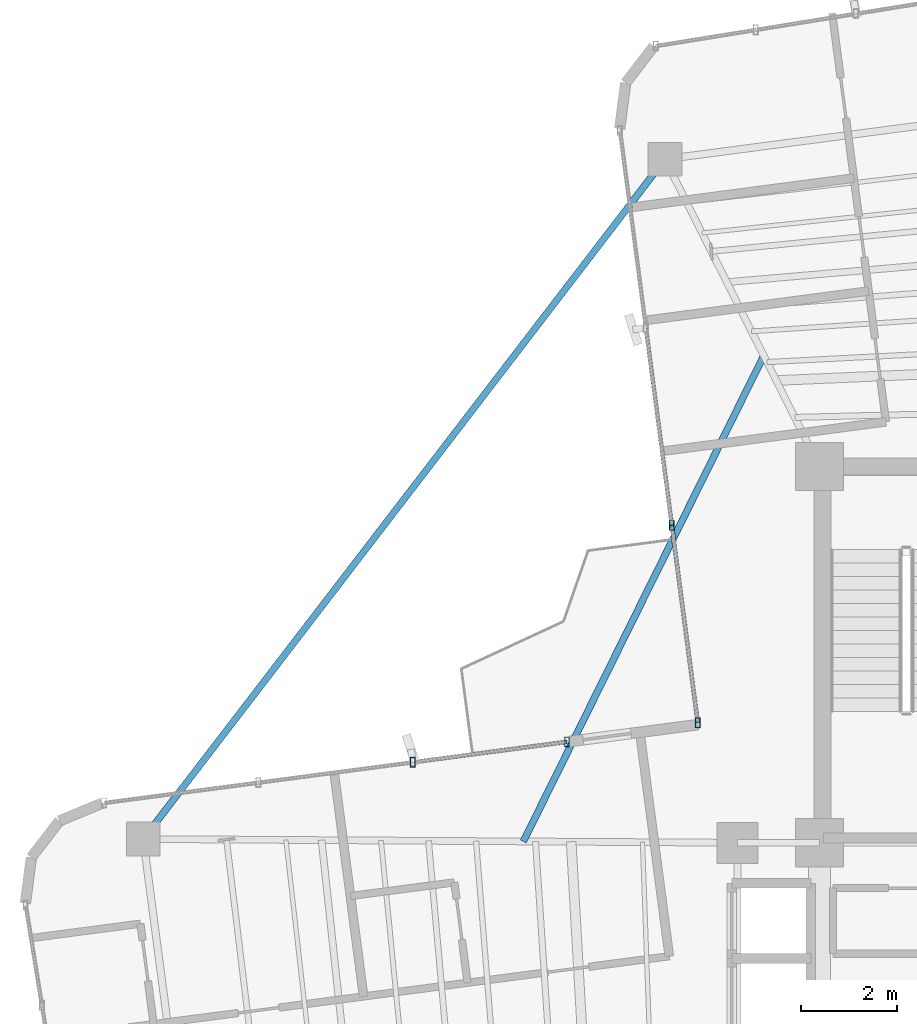
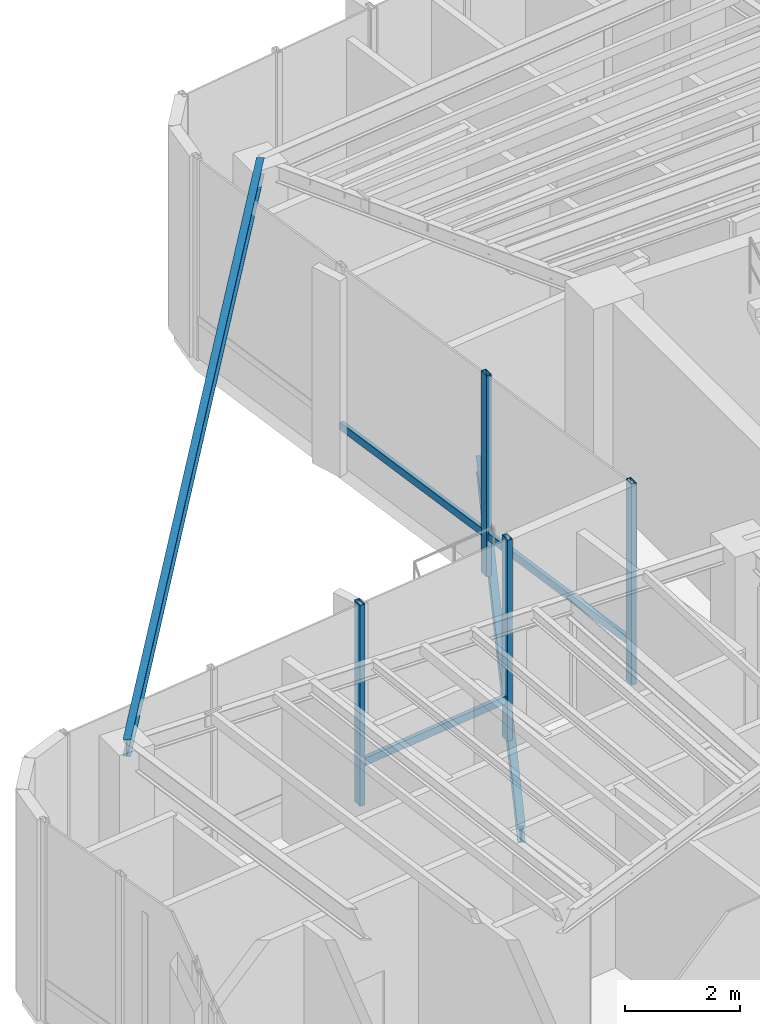
# One storey, part 5 of 20: 7 members, 2 beams, 2 elements without a shape of their own.
"""IFC4 building model written with IfcOpenShell, lengths in metres."""

from ifc_helpers import new_model, si_unit, direction, frame, origin, origin_2d, place, context, subcontext, project, spatial, hollow_rectangle, i_section, extrude, source, transform, mapped, material, material_profile, profile_set, type_object, element, aggregate, save


model = new_model("IFC4")

# Units and contexts
model_context = context("Model", 3, precision=1e-05, world=origin(), true_north=direction((0.0, 1.0)))
body_context = subcontext(model_context, "Body", "Model", "MODEL_VIEW")
ifc_project = project(units=[si_unit("LENGTHUNIT", "METRE"), si_unit("AREAUNIT", "SQUARE_METRE"), si_unit("VOLUMEUNIT", "CUBIC_METRE"), si_unit("PLANEANGLEUNIT", "RADIAN"), si_unit("MASSUNIT", "GRAM", prefix="KILO")], contexts=[model_context])

# Site, building, storey
site_placement = place(None, origin())
site = spatial("IfcSite", under=ifc_project, at=site_placement, CompositionType="ELEMENT")
building_placement = place(site_placement, origin())
building = spatial("IfcBuilding", under=site, at=building_placement, Name="Sahyath Konkavel Grand Hotel", CompositionType="ELEMENT")
storey_placement = place(building_placement, frame((0.0, 0.0, 229.949951171875)))
storey = spatial("IfcBuildingStorey", under=building, at=storey_placement, Name="L64", CompositionType="ELEMENT", Elevation=229.949951171875)

# Beam
ifc_material_1 = material(Name="Steel E350", Category="steel")
ifc_material_profile_1 = material_profile(ifc_material_1, i_section(OverallWidth=0.139892578125, OverallDepth=0.35009765625, WebThickness=0.008056640625, FlangeThickness=0.01416015625, FilletRadius=0.013916015625, at=origin_2d()), Name="ISMB 350")
ifc_profile_set_1 = profile_set([ifc_material_profile_1], Name="Steel E350")
beam_type_1 = type_object("IfcBeamType", Name="BM-ISMB350", PredefinedType="BEAM", material=ifc_profile_set_1)
shared_shape_1 = source(origin(), body_context, "Body", "SweptSolid", [
    extrude(i_section(OverallWidth=0.139892578125, OverallDepth=0.35009765625, WebThickness=0.008056640625, FlangeThickness=0.01416015625, FilletRadius=0.013916015625, at=origin_2d()), origin(), (0.0, 0.0, 1.0), 17.768310546875),
])
beam_1_placement = place(storey_placement, frame((-7.00634765625, 16.57421875, 4.0849609375), z_axis=(-0.608764084382, -0.793351302745, 0.0), x_axis=(0.793351302745, -0.608764084382, 0.0)))
element("IfcBeam", 1, at=beam_1_placement, inside=storey, type_object=beam_type_1, Name="L64 Re-Entrant Tie Beam NW", PredefinedType="BEAM", context=body_context, shape_type="MappedRepresentation", body=[
    mapped(shared_shape_1, transform((0.0, 0.0, 0.0), scale=1.0)),
])

# Curtain wall, members
ifc_material_2 = material(Name="Anodised Bronze Aluminium & Low-E Glazing", Category="aluminium")
curtain_wall_type = type_object("IfcCurtainWallType", Name="CW-SKYLOBBY", PredefinedType="NOTDEFINED", material=ifc_material_2)
curtain_wall_1_placement = place(storey_placement, origin())
curtain_wall_1 = element("IfcCurtainWall", 2, at=curtain_wall_1_placement, inside=storey, type_object=curtain_wall_type, Name="L64 Unitised Curtain Wall F15", PredefinedType="NOTDEFINED")
ifc_material_3 = material(Name="Anodised Bronze Aluminium", Category="aluminium")
ifc_material_profile_2 = material_profile(ifc_material_3, hollow_rectangle(XDim=0.10009765625, YDim=0.199951171875, WallThickness=0.008056640625, at=origin_2d()), Name="RHS 200x100x8")
ifc_profile_set_2 = profile_set([ifc_material_profile_2], Name="Anodised Bronze Aluminium")
member_type_1 = type_object("IfcMemberType", Name="CW-MUL-200", PredefinedType="MULLION", material=ifc_profile_set_2)
shared_shape_2 = source(origin(), body_context, "Body", "SweptSolid", [
    extrude(hollow_rectangle(XDim=0.10009765625, YDim=0.199951171875, WallThickness=0.008056640625, at=origin_2d()), origin(), (0.0, 0.0, 1.0), 4.260009765625),
])
member_1_placement = place(storey_placement, frame((-6.864013671875, 8.98193359375, 0.0), z_axis=(0.0, 0.0, 1.0), x_axis=(1.0, 0.0, 0.0)))
member_1 = element("IfcMember", 3, at=member_1_placement, type_object=member_type_1, Name="L64 Curtain Wall Mullion F15-2", PredefinedType="MULLION", context=body_context, shape_type="MappedRepresentation", body=[
    mapped(shared_shape_2, transform((0.0, 0.0, 0.0), scale=1.0)),
])
member_2_placement = place(storey_placement, frame((-6.3251953125, 4.889404296875, 0.0), z_axis=(0.0, 0.0, 1.0), x_axis=(1.0, 0.0, 0.0)))
member_2 = element("IfcMember", 4, at=member_2_placement, type_object=member_type_1, Name="L64 Curtain Wall Mullion F15-3", PredefinedType="MULLION", context=body_context, shape_type="MappedRepresentation", body=[
    mapped(shared_shape_2, transform((0.0, 0.0, 0.0), scale=1.0)),
])

curtain_wall_2_placement = place(storey_placement, origin())
curtain_wall_2 = element("IfcCurtainWall", 5, at=curtain_wall_2_placement, inside=storey, type_object=curtain_wall_type, Name="L64 Unitised Curtain Wall F16", PredefinedType="NOTDEFINED")
member_3_placement = place(storey_placement, frame((-9.03662109375, 4.491943359375, 0.0), z_axis=(0.0, 0.0, 1.0), x_axis=(1.0, 0.0, 0.0)))
member_3 = element("IfcMember", 6, at=member_3_placement, type_object=member_type_1, Name="L64 Curtain Wall Mullion F16-0", PredefinedType="MULLION", context=body_context, shape_type="MappedRepresentation", body=[
    mapped(shared_shape_2, transform((0.0, 0.0, 0.0), scale=1.0)),
])
member_4_placement = place(storey_placement, frame((-12.237060546875, 4.070556640625, 0.0), z_axis=(0.0, 0.0, 1.0), x_axis=(1.0, 0.0, 0.0)))
member_4 = element("IfcMember", 7, at=member_4_placement, type_object=member_type_1, Name="L64 Curtain Wall Mullion F16-1", PredefinedType="MULLION", context=body_context, shape_type="MappedRepresentation", body=[
    mapped(shared_shape_2, transform((0.0, 0.0, 0.0), scale=1.0)),
])
ifc_material_profile_3 = material_profile(ifc_material_3, hollow_rectangle(XDim=0.080078125, YDim=0.159912109375, WallThickness=0.006103515625, at=origin_2d()), Name="RHS 160x80x6")
ifc_profile_set_3 = profile_set([ifc_material_profile_3], Name="Anodised Bronze Aluminium")
member_type_2 = type_object("IfcMemberType", Name="CW-TRN-160", PredefinedType="USERDEFINED", material=ifc_profile_set_3)
shared_shape_3 = source(origin(), body_context, "Body", "SweptSolid", [
    extrude(hollow_rectangle(XDim=0.080078125, YDim=0.159912109375, WallThickness=0.006103515625, at=origin_2d()), origin(), (0.0, 0.0, 1.0), 3.22802734375),
])
member_5_placement = place(storey_placement, frame((-9.03662109375, 4.491943359375, 0.85009765625), z_axis=(-0.991443222806, -0.130538637773, 0.0), x_axis=(0.130538637773, -0.991443222806, 0.0)))
member_5 = element("IfcMember", 8, at=member_5_placement, type_object=member_type_2, Name="L64 Curtain Wall Transom F16-0-spandrel", ObjectType="TRANSOM", PredefinedType="USERDEFINED", context=body_context, shape_type="MappedRepresentation", body=[
    mapped(shared_shape_3, transform((0.0, 0.0, 0.0), scale=1.0)),
])
aggregate(curtain_wall_2, [member_3, member_4, member_5])

# Member
shared_shape_4 = source(origin(), body_context, "Body", "SweptSolid", [
    extrude(hollow_rectangle(XDim=0.080078125, YDim=0.159912109375, WallThickness=0.006103515625, at=origin_2d()), origin(), (0.0, 0.0, 1.0), 4.1279296875),
])
member_6_placement = place(storey_placement, frame((-6.864013671875, 8.98193359375, 0.85009765625), z_axis=(0.1305325398, -0.991444025678, 0.0), x_axis=(0.991444025678, 0.1305325398, 0.0)))
member_6 = element("IfcMember", 9, at=member_6_placement, type_object=member_type_2, Name="L64 Curtain Wall Transom F15-2-spandrel", ObjectType="TRANSOM", PredefinedType="USERDEFINED", context=body_context, shape_type="MappedRepresentation", body=[
    mapped(shared_shape_4, transform((0.0, 0.0, 0.0), scale=1.0)),
])

shared_shape_5 = source(origin(), body_context, "Body", "SweptSolid", [
    extrude(hollow_rectangle(XDim=0.080078125, YDim=0.159912109375, WallThickness=0.006103515625, at=origin_2d()), origin(), (0.0, 0.0, 1.0), 4.128173828125),
])
member_7_placement = place(storey_placement, frame((-7.40283203125, 13.07470703125, 0.85009765625), z_axis=(0.130524885981, -0.991445033343, 0.0), x_axis=(0.991445033343, 0.130524885981, 0.0)))
member_7 = element("IfcMember", 10, at=member_7_placement, type_object=member_type_2, Name="L64 Curtain Wall Transom F15-1-spandrel", ObjectType="TRANSOM", PredefinedType="USERDEFINED", context=body_context, shape_type="MappedRepresentation", body=[
    mapped(shared_shape_5, transform((0.0, 0.0, 0.0), scale=1.0)),
])

aggregate(curtain_wall_1, [member_1, member_2, member_7, member_6])

# Beam
ifc_material_profile_4 = material_profile(ifc_material_1, i_section(OverallWidth=0.139892578125, OverallDepth=0.35009765625, WebThickness=0.008056640625, FlangeThickness=0.01416015625, FilletRadius=0.013916015625, at=origin_2d()), Name="ISMB 350")
ifc_profile_set_4 = profile_set([ifc_material_profile_4], Name="Steel E350")
beam_type_2 = type_object("IfcBeamType", Name="BM-BALC-CANT", PredefinedType="BEAM", material=ifc_profile_set_4)
shared_shape_6 = source(origin(), body_context, "Body", "SweptSolid", [
    extrude(i_section(OverallWidth=0.139892578125, OverallDepth=0.35009765625, WebThickness=0.008056640625, FlangeThickness=0.01416015625, FilletRadius=0.013916015625, at=origin_2d()), origin(), (0.0, 0.0, 1.0), 11.23583984375),
])
beam_2_placement = place(storey_placement, frame((-4.956787109375, 12.4990234375, -0.474853515625), z_axis=(-0.443611715383, -0.896219083693, 0.0), x_axis=(0.896219083693, -0.443611715383, 0.0)))
element("IfcBeam", 11, at=beam_2_placement, inside=storey, type_object=beam_type_2, Name="L64 Balcony Cantilever Support Beam NW", PredefinedType="BEAM", context=body_context, shape_type="MappedRepresentation", body=[
    mapped(shared_shape_6, transform((0.0, 0.0, 0.0), scale=1.0)),
])

save(model, "model.ifc")
